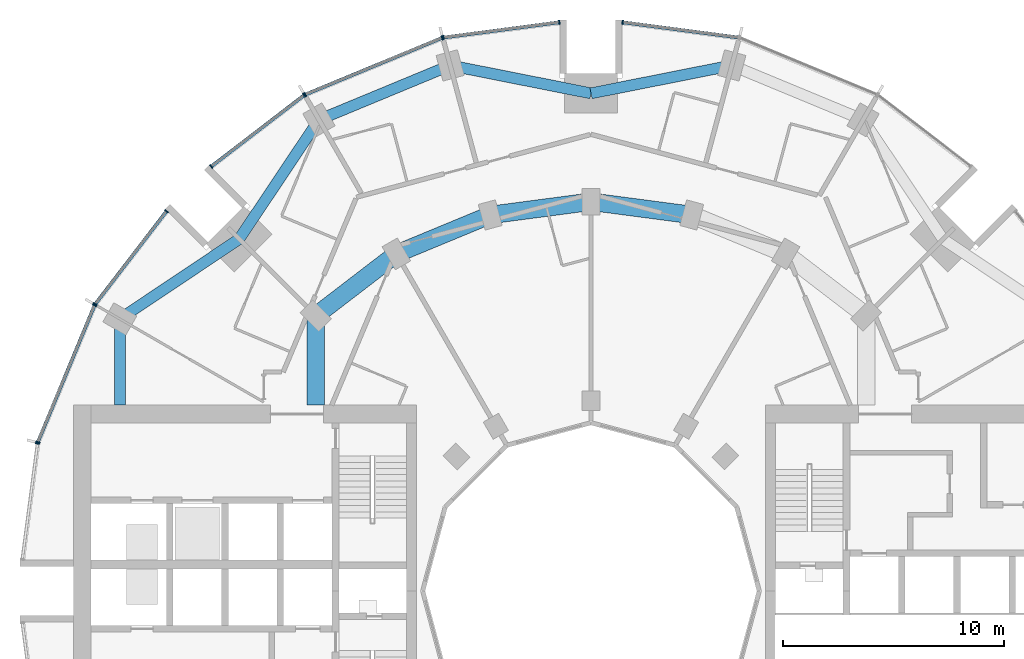
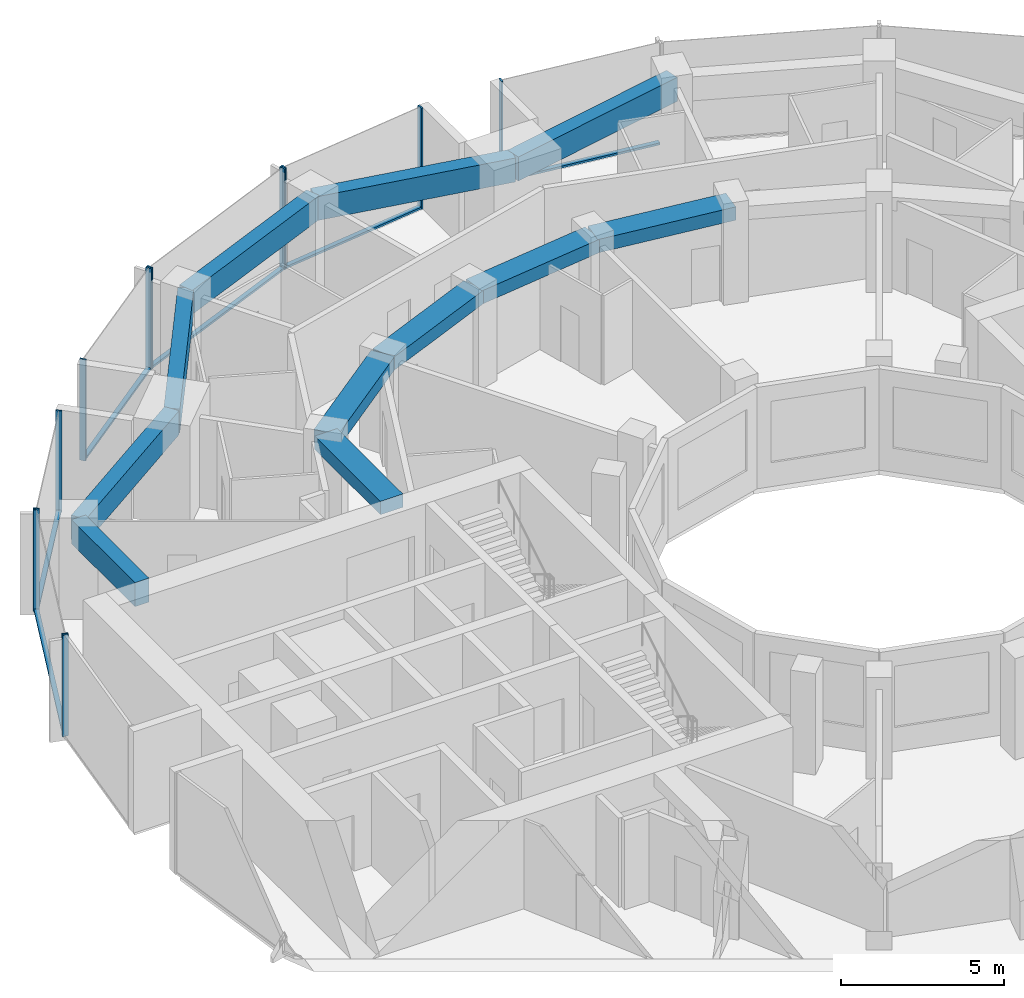
# One storey, part 5 of 15: 18 members, 11 beams, 7 elements without a shape of their own.
"""IFC4 building model written with IfcOpenShell, lengths in metres."""

from ifc_helpers import new_model, si_unit, direction, frame, origin, origin_2d, place, context, subcontext, project, spatial, rectangle, extrude, material, layer, layer_set, material_profile, profile_set, type_object, element, aggregate, save


model = new_model("IFC4")

# Units and contexts
model_context = context("Model", 3, precision=1e-05, world=origin(), true_north=direction((0.0, 1.0)))
body_context = subcontext(model_context, "Body", "Model", "MODEL_VIEW")
ifc_project = project(units=[si_unit("LENGTHUNIT", "METRE"), si_unit("AREAUNIT", "SQUARE_METRE"), si_unit("VOLUMEUNIT", "CUBIC_METRE"), si_unit("PLANEANGLEUNIT", "RADIAN"), si_unit("MASSUNIT", "GRAM", prefix="KILO")], contexts=[model_context])

# Site, building, storey
site_placement = place(None, origin())
site = spatial("IfcSite", under=ifc_project, at=site_placement, CompositionType="ELEMENT")
building_placement = place(site_placement, origin())
building = spatial("IfcBuilding", under=site, at=building_placement, Name="Torre Brocal", CompositionType="ELEMENT")
storey_placement = place(building_placement, frame((0.0, 0.0, 90.0)))
storey = spatial("IfcBuildingStorey", under=building, at=storey_placement, Name="L20", CompositionType="ELEMENT", Elevation=90.0)

# Curtain wall, member
ifc_material_1 = material(Name="Aluminium and glass", Category="aluminium")
ifc_layer_1 = layer(ifc_material_1, 0.199951171875)
ifc_layer_set_1 = layer_set([ifc_layer_1], Name="Aluminium and glass")
curtain_wall_type_1 = type_object("IfcCurtainWallType", Name="CW-1 CURTAIN WALL 3800 HIGH", PredefinedType="NOTDEFINED", material=ifc_layer_set_1)
curtain_wall_1_placement = place(storey_placement, origin())
curtain_wall_1 = element("IfcCurtainWall", 1, at=curtain_wall_1_placement, inside=storey, type_object=curtain_wall_type_1, Name="CW-1 RUN 6", PredefinedType="NOTDEFINED")
ifc_material_2 = material(Name="Aluminium, dark anodised", Category="aluminium")
ifc_material_profile_1 = material_profile(ifc_material_2, rectangle(XDim=0.199951171875, YDim=0.06005859375, at=origin_2d()), Name="CW-1 MULLION 60X200")
ifc_profile_set_1 = profile_set([ifc_material_profile_1], Name="Aluminium, dark anodised")
member_type_1 = type_object("IfcMemberType", Name="CW-1 MULLION 60X200", PredefinedType="MULLION", material=ifc_profile_set_1)
member_1_placement = place(storey_placement, frame((81.4296875, 100.7109375, 0.0), z_axis=(0.0, 0.0, 1.0), x_axis=(-0.13052619222, -0.991444861374, 0.0)))
member_1 = element("IfcMember", 2, at=member_1_placement, type_object=member_type_1, Name="CW1-1 mullion 2", PredefinedType="MULLION", context=body_context, shape_type="SweptSolid", body=[
    extrude(rectangle(XDim=0.199951171875, YDim=0.06005859375, at=origin_2d()), origin(), (0.0, 0.0, 1.0), 3.800048828125),
])

# Curtain wall, members
curtain_wall_2_placement = place(storey_placement, origin())
curtain_wall_2 = element("IfcCurtainWall", 3, at=curtain_wall_2_placement, inside=storey, type_object=curtain_wall_type_1, Name="CW-1 RUN 7", PredefinedType="NOTDEFINED")
member_2_placement = place(storey_placement, frame((78.5703125, 100.7109375, 0.0), z_axis=(0.0, 0.0, 1.0), x_axis=(0.13052619222, -0.991444861374, 0.0)))
member_2 = element("IfcMember", 4, at=member_2_placement, type_object=member_type_1, Name="CW1-1 mullion 1", PredefinedType="MULLION", context=body_context, shape_type="SweptSolid", body=[
    extrude(rectangle(XDim=0.199951171875, YDim=0.06005859375, at=origin_2d()), origin(), (0.0, 0.0, 1.0), 3.800048828125),
])
member_3_placement = place(storey_placement, frame((73.32666015625, 100.0205078125, 0.0), z_axis=(0.0, 0.0, 1.0), x_axis=(0.13052619222, -0.991444861374, 0.0)))
member_3 = element("IfcMember", 5, at=member_3_placement, type_object=member_type_1, Name="CW1-1 mullion 2", PredefinedType="MULLION", context=body_context, shape_type="SweptSolid", body=[
    extrude(rectangle(XDim=0.199951171875, YDim=0.06005859375, at=origin_2d()), origin(), (0.0, 0.0, 1.0), 3.800048828125),
])

curtain_wall_3_placement = place(storey_placement, origin())
curtain_wall_3 = element("IfcCurtainWall", 6, at=curtain_wall_3_placement, inside=storey, type_object=curtain_wall_type_1, Name="CW-1 RUN 8", PredefinedType="NOTDEFINED")
member_4_placement = place(storey_placement, frame((73.26904296875, 100.005126953125, 0.0), z_axis=(0.0, 0.0, 1.0), x_axis=(0.382683432333, -0.923879532525, 0.0)))
member_4 = element("IfcMember", 7, at=member_4_placement, type_object=member_type_1, Name="CW1-1 mullion 1", PredefinedType="MULLION", context=body_context, shape_type="SweptSolid", body=[
    extrude(rectangle(XDim=0.199951171875, YDim=0.06005859375, at=origin_2d()), origin(), (0.0, 0.0, 1.0), 3.800048828125),
])
member_5_placement = place(storey_placement, frame((67.078125, 97.440673828125, 0.0), z_axis=(0.0, 0.0, 1.0), x_axis=(0.382683432333, -0.923879532525, 0.0)))
member_5 = element("IfcMember", 8, at=member_5_placement, type_object=member_type_1, Name="CW1-1 mullion 2", PredefinedType="MULLION", context=body_context, shape_type="SweptSolid", body=[
    extrude(rectangle(XDim=0.199951171875, YDim=0.06005859375, at=origin_2d()), origin(), (0.0, 0.0, 1.0), 3.800048828125),
])

curtain_wall_4_placement = place(storey_placement, origin())
curtain_wall_4 = element("IfcCurtainWall", 9, at=curtain_wall_4_placement, inside=storey, type_object=curtain_wall_type_1, Name="CW-1 RUN 9", PredefinedType="NOTDEFINED")
member_6_placement = place(storey_placement, frame((67.026611328125, 97.4111328125, 0.0), z_axis=(0.0, 0.0, 1.0), x_axis=(0.60876142905, -0.793353340259, 0.0)))
member_6 = element("IfcMember", 10, at=member_6_placement, type_object=member_type_1, Name="CW1-1 mullion 1", PredefinedType="MULLION", context=body_context, shape_type="SweptSolid", body=[
    extrude(rectangle(XDim=0.199951171875, YDim=0.06005859375, at=origin_2d()), origin(), (0.0, 0.0, 1.0), 3.800048828125),
])
member_7_placement = place(storey_placement, frame((62.83056640625, 94.19140625, 0.0), z_axis=(0.0, 0.0, 1.0), x_axis=(0.60876142905, -0.793353340259, 0.0)))
member_7 = element("IfcMember", 11, at=member_7_placement, type_object=member_type_1, Name="CW1-1 mullion 2", PredefinedType="MULLION", context=body_context, shape_type="SweptSolid", body=[
    extrude(rectangle(XDim=0.199951171875, YDim=0.06005859375, at=origin_2d()), origin(), (0.0, 0.0, 1.0), 3.800048828125),
])

curtain_wall_5_placement = place(storey_placement, origin())
curtain_wall_5 = element("IfcCurtainWall", 12, at=curtain_wall_5_placement, inside=storey, type_object=curtain_wall_type_1, Name="CW-1 RUN 10", PredefinedType="NOTDEFINED")
member_8_placement = place(storey_placement, frame((60.80859375, 92.16943359375, 0.0), z_axis=(0.0, 0.0, 1.0), x_axis=(0.793353340259, -0.60876142905, 0.0)))
member_8 = element("IfcMember", 13, at=member_8_placement, type_object=member_type_1, Name="CW1-1 mullion 1", PredefinedType="MULLION", context=body_context, shape_type="SweptSolid", body=[
    extrude(rectangle(XDim=0.199951171875, YDim=0.06005859375, at=origin_2d()), origin(), (0.0, 0.0, 1.0), 3.800048828125),
])
member_9_placement = place(storey_placement, frame((57.5888671875, 87.973388671875, 0.0), z_axis=(0.0, 0.0, 1.0), x_axis=(0.793353340259, -0.60876142905, 0.0)))
member_9 = element("IfcMember", 14, at=member_9_placement, type_object=member_type_1, Name="CW1-1 mullion 2", PredefinedType="MULLION", context=body_context, shape_type="SweptSolid", body=[
    extrude(rectangle(XDim=0.199951171875, YDim=0.06005859375, at=origin_2d()), origin(), (0.0, 0.0, 1.0), 3.800048828125),
])

curtain_wall_6_placement = place(storey_placement, origin())
curtain_wall_6 = element("IfcCurtainWall", 15, at=curtain_wall_6_placement, inside=storey, type_object=curtain_wall_type_1, Name="CW-1 RUN 11", PredefinedType="NOTDEFINED")
member_10_placement = place(storey_placement, frame((57.559326171875, 87.921875, 0.0), z_axis=(0.0, 0.0, 1.0), x_axis=(0.923879532525, -0.382683432333, 0.0)))
member_10 = element("IfcMember", 16, at=member_10_placement, type_object=member_type_1, Name="CW1-1 mullion 1", PredefinedType="MULLION", context=body_context, shape_type="SweptSolid", body=[
    extrude(rectangle(XDim=0.199951171875, YDim=0.06005859375, at=origin_2d()), origin(), (0.0, 0.0, 1.0), 3.800048828125),
])
member_11_placement = place(storey_placement, frame((54.994873046875, 81.73095703125, 0.0), z_axis=(0.0, 0.0, 1.0), x_axis=(0.923879532525, -0.382683432333, 0.0)))
member_11 = element("IfcMember", 17, at=member_11_placement, type_object=member_type_1, Name="CW1-1 mullion 2", PredefinedType="MULLION", context=body_context, shape_type="SweptSolid", body=[
    extrude(rectangle(XDim=0.199951171875, YDim=0.06005859375, at=origin_2d()), origin(), (0.0, 0.0, 1.0), 3.800048828125),
])

# Member
ifc_material_3 = material(Name="Aluminium, dark anodised", Category="aluminium")
ifc_material_profile_2 = material_profile(ifc_material_3, rectangle(XDim=0.159912109375, YDim=0.080078125, at=origin_2d()), Name="CW-1 TRANSOM 160X80")
ifc_profile_set_2 = profile_set([ifc_material_profile_2], Name="Aluminium, dark anodised")
member_type_2 = type_object("IfcMemberType", Name="CW-1 TRANSOM 160X80", PredefinedType="USERDEFINED", material=ifc_profile_set_2)
member_12_placement = place(storey_placement, frame((86.643798828125, 100.0244140625, 0.0400390625), z_axis=(-0.991442690863, 0.130542677827, 0.0), x_axis=(-0.130542677827, -0.991442690863, 0.0)))
member_12 = element("IfcMember", 18, at=member_12_placement, type_object=member_type_2, Name="CW1-1 transom 1.1", ObjectType="TRANSOM", PredefinedType="USERDEFINED", context=body_context, shape_type="SweptSolid", body=[
    extrude(rectangle(XDim=0.159912109375, YDim=0.080078125, at=origin_2d()), origin(), (0.0, 0.0, 1.0), 5.22900390625),
])

aggregate(curtain_wall_1, [member_1, member_12])

member_13_placement = place(storey_placement, frame((78.54052734375, 100.70703125, 0.0400390625), z_axis=(-0.991442690863, -0.130542677827, 0.0), x_axis=(0.130542677827, -0.991442690863, 0.0)))
member_13 = element("IfcMember", 19, at=member_13_placement, type_object=member_type_2, Name="CW1-1 transom 1.1", ObjectType="TRANSOM", PredefinedType="USERDEFINED", context=body_context, shape_type="SweptSolid", body=[
    extrude(rectangle(XDim=0.159912109375, YDim=0.080078125, at=origin_2d()), origin(), (0.0, 0.0, 1.0), 5.22900390625),
])

aggregate(curtain_wall_2, [member_2, member_3, member_13])

member_14_placement = place(storey_placement, frame((73.241455078125, 99.99365234375, 0.0400390625), z_axis=(-0.923887344364, -0.38266457234, 0.0), x_axis=(0.38266457234, -0.923887344364, 0.0)))
member_14 = element("IfcMember", 20, at=member_14_placement, type_object=member_type_2, Name="CW1-1 transom 1.1", ObjectType="TRANSOM", PredefinedType="USERDEFINED", context=body_context, shape_type="SweptSolid", body=[
    extrude(rectangle(XDim=0.159912109375, YDim=0.080078125, at=origin_2d()), origin(), (0.0, 0.0, 1.0), 6.640869140625),
])

aggregate(curtain_wall_3, [member_4, member_5, member_14])

member_15_placement = place(storey_placement, frame((67.0029296875, 97.392822265625, 0.0400390625), z_axis=(-0.79336281513, -0.60874908096, 0.0), x_axis=(0.60874908096, -0.79336281513, 0.0)))
member_15 = element("IfcMember", 21, at=member_15_placement, type_object=member_type_2, Name="CW1-1 transom 1.1", ObjectType="TRANSOM", PredefinedType="USERDEFINED", context=body_context, shape_type="SweptSolid", body=[
    extrude(rectangle(XDim=0.159912109375, YDim=0.080078125, at=origin_2d()), origin(), (0.0, 0.0, 1.0), 5.22900390625),
])

aggregate(curtain_wall_4, [member_6, member_7, member_15])

member_16_placement = place(storey_placement, frame((60.790283203125, 92.1455078125, 0.0400390625), z_axis=(-0.60874908096, -0.79336281513, 0.0), x_axis=(0.79336281513, -0.60874908096, 0.0)))
member_16 = element("IfcMember", 22, at=member_16_placement, type_object=member_type_2, Name="CW1-1 transom 1.1", ObjectType="TRANSOM", PredefinedType="USERDEFINED", context=body_context, shape_type="SweptSolid", body=[
    extrude(rectangle(XDim=0.159912109375, YDim=0.080078125, at=origin_2d()), origin(), (0.0, 0.0, 1.0), 5.22900390625),
])

aggregate(curtain_wall_5, [member_8, member_9, member_16])

member_17_placement = place(storey_placement, frame((57.547607421875, 87.89404296875, 0.0400390625), z_axis=(-0.38266457234, -0.923887344364, 0.0), x_axis=(0.923887344364, -0.38266457234, 0.0)))
member_17 = element("IfcMember", 23, at=member_17_placement, type_object=member_type_2, Name="CW1-1 transom 1.1", ObjectType="TRANSOM", PredefinedType="USERDEFINED", context=body_context, shape_type="SweptSolid", body=[
    extrude(rectangle(XDim=0.159912109375, YDim=0.080078125, at=origin_2d()), origin(), (0.0, 0.0, 1.0), 6.640869140625),
])

aggregate(curtain_wall_6, [member_10, member_11, member_17])

# Curtain wall, member
ifc_material_4 = material(Name="Aluminium and glass", Category="aluminium")
ifc_layer_2 = layer(ifc_material_4, 0.199951171875)
ifc_layer_set_2 = layer_set([ifc_layer_2], Name="Aluminium and glass")
curtain_wall_type_2 = type_object("IfcCurtainWallType", Name="CW-1B CURTAIN WALL 3800 HIGH", PredefinedType="NOTDEFINED", material=ifc_layer_set_2)
curtain_wall_7_placement = place(storey_placement, origin())
curtain_wall_7 = element("IfcCurtainWall", 24, at=curtain_wall_7_placement, inside=storey, type_object=curtain_wall_type_2, Name="CW-1B RUN 12", PredefinedType="NOTDEFINED")
ifc_material_5 = material(Name="Aluminium, dark anodised", Category="aluminium")
ifc_material_profile_3 = material_profile(ifc_material_5, rectangle(XDim=0.199951171875, YDim=0.06005859375, at=origin_2d()), Name="CW-1B MULLION 60X200")
ifc_profile_set_3 = profile_set([ifc_material_profile_3], Name="Aluminium, dark anodised")
member_type_3 = type_object("IfcMemberType", Name="CW-1B MULLION 60X200", PredefinedType="MULLION", material=ifc_profile_set_3)
member_18_placement = place(storey_placement, frame((54.9794921875, 81.67333984375, 0.0), z_axis=(0.0, 0.0, 1.0), x_axis=(0.991444861374, -0.13052619222, 0.0)))
member_18 = element("IfcMember", 25, at=member_18_placement, type_object=member_type_3, Name="CW1B-1 mullion 1", PredefinedType="MULLION", context=body_context, shape_type="SweptSolid", body=[
    extrude(rectangle(XDim=0.199951171875, YDim=0.06005859375, at=origin_2d()), origin(), (0.0, 0.0, 1.0), 3.800048828125),
])
aggregate(curtain_wall_7, [member_18])

# Beams
ifc_material_6 = material(Name="Concrete C50", Category="concrete")
ifc_material_profile_4 = material_profile(ifc_material_6, rectangle(XDim=0.800048828125, YDim=0.5, at=origin_2d()), Name="RC 800X500")
ifc_profile_set_4 = profile_set([ifc_material_profile_4], Name="Concrete C50")
beam_type_1 = type_object("IfcBeamType", Name="RC BEAM 800X500 C50 TOP 3480", PredefinedType="BEAM", material=ifc_profile_set_4)
for number, where, z_axis, x_axis, name in (
    (26, (84.55517578125, 92.000244140625, 3.22998046875), (-0.991440544449, 0.130558978332, 0.0), (-0.130558978332, -0.991440544449, 0.0), "Beam BT-19"),
    (27, (80.0, 92.60009765625, 3.22998046875), (-0.991440544449, -0.130558978332, 0.0), (0.130558978332, -0.991440544449, 0.0), "Beam BT-19"),
):
    element("IfcBeam", number, at=place(storey_placement, frame(where, z_axis=z_axis, x_axis=x_axis)), inside=storey, type_object=beam_type_1, Name=name, PredefinedType="BEAM", context=body_context, shape_type="SweptSolid", body=[
        extrude(rectangle(XDim=0.800048828125, YDim=0.5, at=origin_2d()), origin(), (0.0, 0.0, 1.0), 4.594482421875),
    ])
beam_1_placement = place(storey_placement, frame((75.44482421875, 92.000244140625, 3.22998046875), z_axis=(-0.923878240166, -0.382686552348, 0.0), x_axis=(0.382686552348, -0.923878240166, 0.0)))
element("IfcBeam", 28, at=beam_1_placement, inside=storey, type_object=beam_type_1, Name="Beam BT-19", PredefinedType="BEAM", context=body_context, shape_type="SweptSolid", body=[
    extrude(rectangle(XDim=0.800048828125, YDim=0.5, at=origin_2d()), origin(), (0.0, 0.0, 1.0), 4.5947265625),
])
beam_2_placement = place(storey_placement, frame((71.199951171875, 90.241943359375, 3.22998046875), z_axis=(-0.793358265959, -0.6087550097, 0.0), x_axis=(0.6087550097, -0.793358265959, 0.0)))
element("IfcBeam", 29, at=beam_2_placement, inside=storey, type_object=beam_type_1, Name="Beam BT-19", PredefinedType="BEAM", context=body_context, shape_type="SweptSolid", body=[
    extrude(rectangle(XDim=0.800048828125, YDim=0.5, at=origin_2d()), origin(), (0.0, 0.0, 1.0), 4.594482421875),
])
beam_3_placement = place(storey_placement, frame((67.554931640625, 87.445068359375, 3.22998046875), z_axis=(0.0, -1.0, 0.0), x_axis=(1.0, 0.0, 0.0)))
element("IfcBeam", 30, at=beam_3_placement, inside=storey, type_object=beam_type_1, Name="Beam BT-19", PredefinedType="BEAM", context=body_context, shape_type="SweptSolid", body=[
    extrude(rectangle(XDim=0.800048828125, YDim=0.5, at=origin_2d()), origin(), (0.0, 0.0, 1.0), 4.045166015625),
])
ifc_material_7 = material(Name="Concrete C50", Category="concrete")
ifc_material_profile_5 = material_profile(ifc_material_7, rectangle(XDim=0.5, YDim=0.89990234375, at=origin_2d()), Name="RC 500X900")
ifc_profile_set_5 = profile_set([ifc_material_profile_5], Name="Concrete C50")
beam_type_2 = type_object("IfcBeamType", Name="RC SPANDREL BEAM 500X900 C50 TOP 3480", PredefinedType="SPANDREL", material=ifc_profile_set_5)
for number, where, z_axis, x_axis, name in (
    (31, (86.366943359375, 98.76171875, 3.030029296875), (-0.980924907484, -0.194387051723, 0.0), (0.194387051723, -0.980924907484, 0.0), "Beam BT-20"),
    (32, (80.0, 97.5, 3.030029296875), (-0.980924907484, 0.194387051723, 0.0), (-0.194387051723, -0.980924907484, 0.0), "Beam BT-20"),
):
    element("IfcBeam", number, at=place(storey_placement, frame(where, z_axis=z_axis, x_axis=x_axis)), inside=storey, type_object=beam_type_2, Name=name, PredefinedType="SPANDREL", context=body_context, shape_type="SweptSolid", body=[
        extrude(rectangle(XDim=0.5, YDim=0.89990234375, at=origin_2d()), origin(), (0.0, 0.0, 1.0), 6.49072265625),
    ])
beam_4_placement = place(storey_placement, frame((73.633056640625, 98.76171875, 3.030029296875), z_axis=(-0.923882462513, -0.382676358639, 0.0), x_axis=(0.382676358639, -0.923882462513, 0.0)))
element("IfcBeam", 33, at=beam_4_placement, inside=storey, type_object=beam_type_2, Name="Beam BT-20", PredefinedType="SPANDREL", context=body_context, shape_type="SweptSolid", body=[
    extrude(rectangle(XDim=0.5, YDim=0.89990234375, at=origin_2d()), origin(), (0.0, 0.0, 1.0), 6.421875),
])
for number, where, z_axis, x_axis, name in (
    (34, (67.699951171875, 96.30419921875, 3.030029296875), (-0.556157602282, -0.831076844476, 0.0), (0.831076844476, -0.556157602282, 0.0), "Beam BT-20"),
    (35, (64.090087890625, 90.909912109375, 3.030029296875), (-0.831076844476, -0.556157602282, 0.0), (0.556157602282, -0.831076844476, 0.0), "Beam BT-20"),
):
    element("IfcBeam", number, at=place(storey_placement, frame(where, z_axis=z_axis, x_axis=x_axis)), inside=storey, type_object=beam_type_2, Name=name, PredefinedType="SPANDREL", context=body_context, shape_type="SweptSolid", body=[
        extrude(rectangle(XDim=0.5, YDim=0.89990234375, at=origin_2d()), origin(), (0.0, 0.0, 1.0), 6.49072265625),
    ])
beam_5_placement = place(storey_placement, frame((58.69580078125, 87.300048828125, 3.030029296875), z_axis=(0.0, -1.0, 0.0), x_axis=(1.0, 0.0, 0.0)))
element("IfcBeam", 36, at=beam_5_placement, inside=storey, type_object=beam_type_2, Name="Beam BT-20", PredefinedType="SPANDREL", context=body_context, shape_type="SweptSolid", body=[
    extrude(rectangle(XDim=0.5, YDim=0.89990234375, at=origin_2d()), origin(), (0.0, 0.0, 1.0), 3.900146484375),
])

save(model, "model.ifc")
